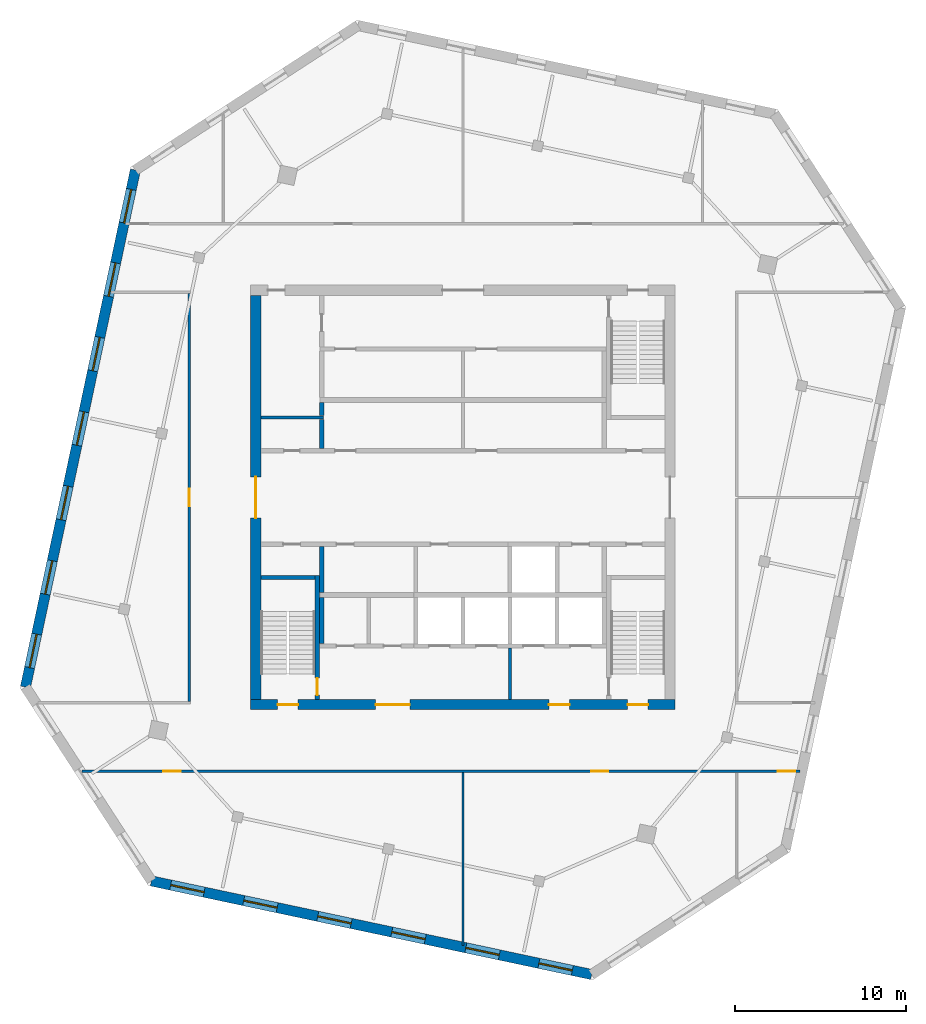
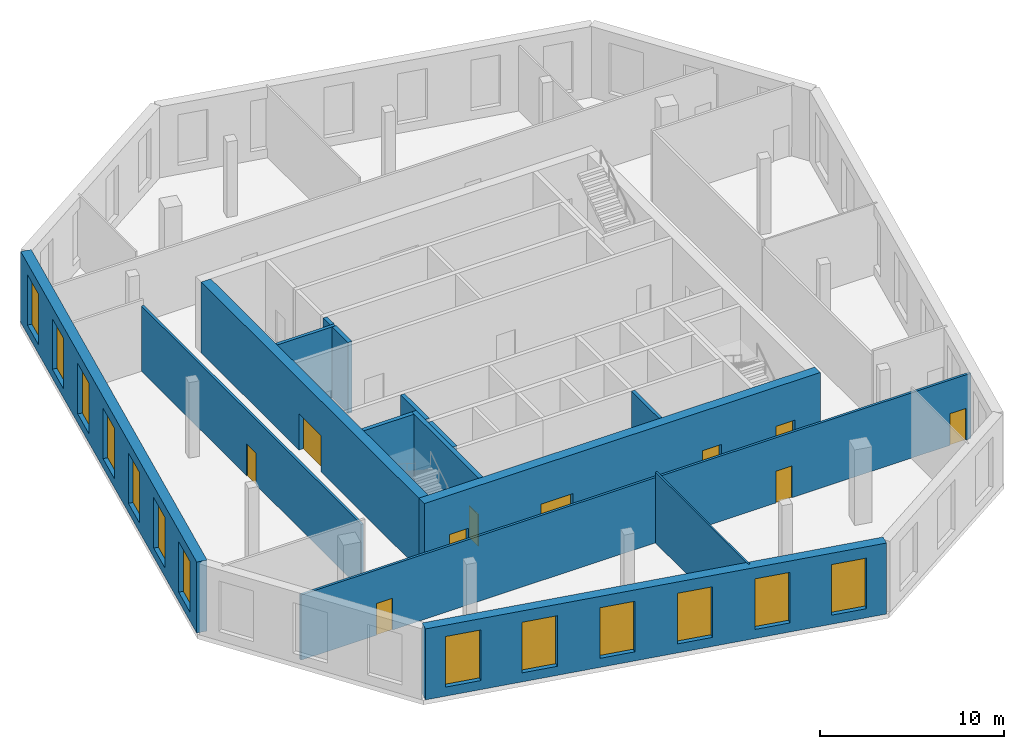
# One storey, part 2 of 6: 15 walls, 13 windows, 10 doors, 23 openings.
"""IFC4 building model written with IfcOpenShell, lengths in metres."""

import ifcopenshell
import ifcopenshell.guid

model = None  # the IFC model being written
_history = None  # IfcOwnerHistory: only IFC2X3 demands one
_inside = {}  # id of a spatial element -> (the spatial element, [elements in it])
_under = {}  # id of a project, library or spatial element -> (it, [spatial elements below it])
_declared = {}  # id of a project -> (the project, [libraries it declares])
_typed = {}  # id of a type object -> (the type object, [elements of that type])
_made_of = {}  # id of a material, layer set ... -> (it, [elements and type objects made of it])


def new_model(schema):
    """Start an empty IFC model of exactly this schema.

    Asked for "IFC4X3", IfcOpenShell would pick the latest addendum, in which some entities
    have other attributes; the version numbers below select the first issue.
    IFC2X3 requires an IfcOwnerHistory on every rooted entity: one is made here for all.
    """
    global model, _history
    if schema == "IFC4X3":
        model = ifcopenshell.file(schema_version=(4, 3, 0, 0))
    else:
        model = ifcopenshell.file(schema=schema)
    _inside.clear()
    _under.clear()
    _declared.clear()
    _typed.clear()
    _made_of.clear()
    _history = None
    if model.schema == "IFC2X3":
        org = make("IfcOrganization", Name="unknown")
        user = make(
            "IfcPersonAndOrganization",
            ThePerson=make("IfcPerson", FamilyName="unknown"),
            TheOrganization=org,
        )
        app = make(
            "IfcApplication",
            ApplicationDeveloper=org,
            Version="unknown",
            ApplicationFullName="unknown",
            ApplicationIdentifier="unknown",
        )
        _history = make(
            "IfcOwnerHistory",
            OwningUser=user,
            OwningApplication=app,
            ChangeAction="ADDED",
            CreationDate=0,
        )
    return model


def make(cls, **values):
    """One entity of the class cls with the attributes given. An attribute that is None is left unset."""
    return model.create_entity(
        cls, **{name: value for name, value in values.items() if value is not None}
    )


def rooted(cls, **values):
    """An entity with a GlobalId (a new one), such as an element, a storey or a relation."""
    return make(cls, GlobalId=ifcopenshell.guid.new(), OwnerHistory=_history, **values)


def si_unit(unit_type, name, prefix=None):
    """IfcSIUnit, for example si_unit("LENGTHUNIT", "METRE", prefix="MILLI")."""
    return make("IfcSIUnit", UnitType=unit_type, Prefix=prefix, Name=name)


def assignment(units):
    """IfcUnitAssignment: the units of a project."""
    return None if units is None else make("IfcUnitAssignment", Units=units)


def point(xyz):
    """IfcCartesianPoint."""
    return None if xyz is None else make("IfcCartesianPoint", Coordinates=xyz)


def direction(xyz):
    """IfcDirection."""
    return None if xyz is None else make("IfcDirection", DirectionRatios=xyz)


def frame(location, z_axis=None, x_axis=None):
    """IfcAxis2Placement3D, a coordinate frame: its origin and axes. An axis left out is left unset."""
    return make(
        "IfcAxis2Placement3D",
        Location=point(location),
        Axis=direction(z_axis),
        RefDirection=direction(x_axis),
    )


def frame_2d(location, x_axis=None):
    """IfcAxis2Placement2D, a coordinate frame in the plane: its origin and x axis."""
    return make(
        "IfcAxis2Placement2D", Location=point(location), RefDirection=direction(x_axis)
    )


def origin():
    """The frame at (0, 0, 0) with its axes left unset."""
    return frame((0.0, 0.0, 0.0))


def place(relative_to, where):
    """IfcLocalPlacement: puts the frame where relative to a parent placement (None: the world)."""
    return make(
        "IfcLocalPlacement", PlacementRelTo=relative_to, RelativePlacement=where
    )


def context(
    kind, dimensions, precision=None, world=None, true_north=None, identifier=None
):
    """IfcGeometricRepresentationContext, for example the 3D "Model" context."""
    return make(
        "IfcGeometricRepresentationContext",
        ContextIdentifier=identifier,
        ContextType=kind,
        CoordinateSpaceDimension=dimensions,
        Precision=precision,
        WorldCoordinateSystem=world,
        TrueNorth=true_north,
    )


def subcontext(parent, identifier, kind, view, scale=None):
    """IfcGeometricRepresentationSubContext, for example "Body" below "Model"."""
    return make(
        "IfcGeometricRepresentationSubContext",
        ContextIdentifier=identifier,
        ContextType=kind,
        ParentContext=parent,
        TargetScale=scale,
        TargetView=view,
    )


def project(units=None, contexts=None):
    """IfcProject with its units and contexts."""
    return rooted(
        "IfcProject",
        Name="project",
        RepresentationContexts=contexts,
        UnitsInContext=assignment(units),
    )


def spatial(cls, under=None, at=None, **own):
    """A site, building, storey or space (cls), placed at a placement, below another one or the project."""
    s = rooted(cls, ObjectPlacement=at, **own)
    if under is not None:
        _under.setdefault(under.id(), (under, []))[1].append(s)
    return s


def profile(cls, at=None, kind="AREA", **sizes):
    """A parametric profile (cls). Its sizes go by their IFC names, for example OverallWidth=200.0."""
    return make(cls, ProfileType=kind, Position=at, **sizes)


def rectangle(**sizes):
    """IfcRectangleProfileDef."""
    return profile("IfcRectangleProfileDef", **sizes)


def extrude(swept, where, along, depth):
    """IfcExtrudedAreaSolid: the profile swept, set in the frame where, extruded along a direction by depth."""
    return make(
        "IfcExtrudedAreaSolid",
        SweptArea=swept,
        Position=where,
        ExtrudedDirection=direction(along),
        Depth=depth,
    )


def shape(context_of_items, identifier, shape_type, items):
    """IfcShapeRepresentation: the items that make up one representation, for example the "Body"."""
    return make(
        "IfcShapeRepresentation",
        ContextOfItems=context_of_items,
        RepresentationIdentifier=identifier,
        RepresentationType=shape_type,
        Items=items,
    )


def material(Name=None, Category=None):
    """IfcMaterial."""
    return make("IfcMaterial", Name=Name, Category=Category)


def layer(
    of_material, thickness, ventilated=None, Name=None, Category=None, Priority=None
):
    """IfcMaterialLayer: one layer of a wall or slab, of a material (None: an air gap)."""
    return make(
        "IfcMaterialLayer",
        Material=of_material,
        LayerThickness=thickness,
        IsVentilated=ventilated,
        Name=Name,
        Category=Category,
        Priority=Priority,
    )


def layer_set(layers, Name=None):
    """IfcMaterialLayerSet."""
    return make("IfcMaterialLayerSet", MaterialLayers=layers, LayerSetName=Name)


def made_of(thing, what):
    """Note that an element or type object is made of a material, layer set ...; save() writes the relation."""
    if what is not None:
        _made_of.setdefault(what.id(), (what, []))[1].append(thing)
    return thing


def type_object(cls, material=None, **own):
    """A type object (cls), such as IfcWallType, which elements share."""
    return made_of(rooted(cls, **own), material)


def element(
    cls,
    number,
    at=None,
    inside=None,
    cuts=None,
    type_object=None,
    material=None,
    context=None,
    identifier="Body",
    shape_type=None,
    held_by="IfcProductDefinitionShape",
    body=None,
    shapes=None,
    **own,
):
    """One element of the class cls, such as IfcWall. Its Tag is "e" and its number.

    at: its placement. inside: the storey or other place that contains it. cuts: it is an
    opening in that element (IfcRelVoidsElement). A single representation is given by context,
    identifier, shape_type and body (its items); several are given by shapes. held_by: the class
    of the entity that holds the representations. save() writes the other relations.
    """
    e = rooted(cls, Tag="e%d" % number, ObjectPlacement=at, **own)
    if body is not None:
        shapes = [shape(context, identifier, shape_type, body)]
    if shapes is not None:
        e.Representation = make(held_by, Representations=shapes)
    if inside is not None:
        _inside.setdefault(inside.id(), (inside, []))[1].append(e)
    if cuts is not None:
        rooted(
            "IfcRelVoidsElement", RelatingBuildingElement=cuts, RelatedOpeningElement=e
        )
    if type_object is not None:
        _typed.setdefault(type_object.id(), (type_object, []))[1].append(e)
    return made_of(e, material)


def fill(opening, filler):
    """IfcRelFillsElement: the door or window that sits in an opening."""
    return rooted(
        "IfcRelFillsElement",
        RelatingOpeningElement=opening,
        RelatedBuildingElement=filler,
    )


def aggregate(whole, parts):
    """IfcRelAggregates: a whole, such as a stair, and the parts it consists of."""
    return rooted("IfcRelAggregates", RelatingObject=whole, RelatedObjects=parts)


def save(model, path):
    """Write the relations noted so far, then the file.

    IfcRelAggregates (storeys below a building ...), IfcRelContainedInSpatialStructure (elements
    in a storey), IfcRelDefinesByType, IfcRelAssociatesMaterial and IfcRelDeclares: one each for
    every whole, place, type object, material and project.
    """
    for whole, parts in _under.values():
        aggregate(whole, parts)
    for where, things in _inside.values():
        rooted(
            "IfcRelContainedInSpatialStructure",
            RelatedElements=things,
            RelatingStructure=where,
        )
    for kind, things in _typed.values():
        rooted("IfcRelDefinesByType", RelatedObjects=things, RelatingType=kind)
    for what, things in _made_of.values():
        rooted("IfcRelAssociatesMaterial", RelatedObjects=things, RelatingMaterial=what)
    for by, libraries in _declared.values():
        rooted("IfcRelDeclares", RelatingContext=by, RelatedDefinitions=libraries)
    model.write(path)


model = new_model("IFC4")

# Units and contexts
model_context = context("Model", 3, precision=1e-05, world=origin(), true_north=direction((0.0, 1.0)))
body_context = subcontext(model_context, "Body", "Model", "MODEL_VIEW")
ifc_project = project(units=[si_unit("LENGTHUNIT", "METRE"), si_unit("AREAUNIT", "SQUARE_METRE"), si_unit("VOLUMEUNIT", "CUBIC_METRE"), si_unit("PLANEANGLEUNIT", "RADIAN"), si_unit("MASSUNIT", "GRAM", prefix="KILO")], contexts=[model_context])

# Site, building, storey
site_placement = place(None, origin())
site = spatial("IfcSite", under=ifc_project, at=site_placement, CompositionType="ELEMENT")
building_placement = place(site_placement, origin())
building = spatial("IfcBuilding", under=site, at=building_placement, Name="Dilmun Exchange Tower", CompositionType="ELEMENT")
storey_placement = place(building_placement, frame((0.0, 0.0, 358.10009765625)))
storey = spatial("IfcBuildingStorey", under=building, at=storey_placement, Name="Crown L84", CompositionType="ELEMENT", Elevation=358.10009765625)

# Walls
ifc_material_1 = material(Name="Concrete C40/50", Category="concrete")
ifc_layer_1 = layer(ifc_material_1, 0.199951171875)
ifc_layer_set_1 = layer_set([ifc_layer_1], Name="Concrete C40/50")
wall_type_1 = type_object("IfcWallType", Name="Core partition wall 200", PredefinedType="PARTITIONING", material=ifc_layer_set_1)
wall_1_placement = place(storey_placement, frame((2.75, -11.794921875, 0.0), z_axis=(0.0, 0.0, 1.0), x_axis=(0.0, 1.0, 0.0)))
element("IfcWall", 1, at=wall_1_placement, inside=storey, type_object=wall_type_1, Name="Crown L84 core partition wall 01", PredefinedType="PARTITIONING", context=body_context, shape_type="SweptSolid", body=[
    extrude(rectangle(XDim=2.989990234375, YDim=0.199951171875, at=frame_2d((1.4951171875, 0.0))), origin(), (0.0, 0.0, 1.0), 4.699951171875),
])
wall_2_placement = place(storey_placement, frame((-11.794921875, 4.675048828125, 0.0), z_axis=(0.0, 0.0, 1.0), x_axis=(1.0, 0.0, 0.0)))
element("IfcWall", 2, at=wall_2_placement, inside=storey, type_object=wall_type_1, Name="Crown L84 core partition wall 15", PredefinedType="PARTITIONING", context=body_context, shape_type="SweptSolid", body=[
    extrude(rectangle(XDim=3.64501953125, YDim=0.199951171875, at=frame_2d((1.822509765625, 0.0))), origin(), (0.0, 0.0, 1.0), 4.699951171875),
])
ifc_layer_2 = layer(ifc_material_1, 0.25)
ifc_layer_set_2 = layer_set([ifc_layer_2], Name="Concrete C40/50")
wall_type_2 = type_object("IfcWallType", Name="Core partition wall 250", PredefinedType="PARTITIONING", material=ifc_layer_set_2)
for number, where, z_axis, x_axis, name in (
    (3, (-8.25, -8.544921875, 0.0), (0.0, 0.0, 1.0), (0.0, 1.0, 0.0), "Crown L84 core partition wall 03"),
    (4, (-8.25, -5.544921875, 0.0), (0.0, 0.0, 1.0), (0.0, 1.0, 0.0), "Crown L84 core partition wall 06"),
):
    element("IfcWall", number, at=place(storey_placement, frame(where, z_axis=z_axis, x_axis=x_axis)), inside=storey, type_object=wall_type_2, Name=name, PredefinedType="PARTITIONING", context=body_context, shape_type="SweptSolid", body=[
        extrude(rectangle(XDim=2.68994140625, YDim=0.25, at=frame_2d((1.344970703125, 0.0))), origin(), (0.0, 0.0, 1.0), 4.699951171875),
    ])
wall_3_placement = place(storey_placement, frame((-8.25, 2.85498046875, 0.0), z_axis=(0.0, 0.0, 1.0), x_axis=(0.0, 1.0, 0.0)))
element("IfcWall", 5, at=wall_3_placement, inside=storey, type_object=wall_type_2, Name="Crown L84 core partition wall 12", PredefinedType="PARTITIONING", context=body_context, shape_type="SweptSolid", body=[
    extrude(rectangle(XDim=1.715087890625, YDim=0.25, at=frame_2d((0.857421875, 0.0))), origin(), (0.0, 0.0, 1.0), 4.699951171875),
])
wall_4_placement = place(storey_placement, frame((-8.25, 4.780029296875, 0.0), z_axis=(0.0, 0.0, 1.0), x_axis=(0.0, 1.0, 0.0)))
element("IfcWall", 6, at=wall_4_placement, inside=storey, type_object=wall_type_2, Name="Crown L84 core partition wall 16", PredefinedType="PARTITIONING", context=body_context, shape_type="SweptSolid", body=[
    extrude(rectangle(XDim=0.764892578125, YDim=0.25, at=frame_2d((0.38232421875, 0.0))), origin(), (0.0, 0.0, 1.0), 4.699951171875),
])

# Wall, openings, doors
ifc_material_2 = material(Name="Concrete C50/60", Category="concrete")
ifc_layer_3 = layer(ifc_material_2, 0.60009765625)
ifc_layer_set_3 = layer_set([ifc_layer_3], Name="Concrete C50/60")
wall_type_3 = type_object("IfcWallType", Name="Core shear wall 600 Concrete C50/60", PredefinedType="SHEAR", material=ifc_layer_set_3)
wall_5_placement = place(storey_placement, frame((-12.39990234375, -12.10009765625, 0.0), z_axis=(0.0, 0.0, 1.0), x_axis=(1.0, 0.0, 0.0)))
wall_5 = element("IfcWall", 7, at=wall_5_placement, inside=storey, type_object=wall_type_3, Name="Crown L84 core shear wall S", PredefinedType="SHEAR", context=body_context, shape_type="SweptSolid", body=[
    extrude(rectangle(XDim=24.7998046875, YDim=0.60009765625, at=frame_2d((12.39990234375, 0.0))), origin(), (0.0, 0.0, 1.0), 4.699951171875),
])
opening_1_placement = place(wall_5_placement, frame((7.300048828125, 0.0, 0.0)))
opening_1 = element("IfcOpeningElement", 8, at=opening_1_placement, cuts=wall_5, Name="Opening CD2", PredefinedType="OPENING", context=body_context, shape_type="SweptSolid", body=[
    extrude(rectangle(XDim=2.0, YDim=2.10009765625, at=frame_2d((1.0, 1.050048828125))), frame((0.0, 0.31005859375, 0.0), z_axis=(0.0, -1.0, 0.0), x_axis=(1.0, 0.0, 0.0)), (0.0, 0.0, 1.0), 0.6201171875),
])
opening_2_placement = place(wall_5_placement, frame((17.425048828125, 0.0, 0.0)))
opening_2 = element("IfcOpeningElement", 9, at=opening_2_placement, cuts=wall_5, Name="Opening CD3", PredefinedType="OPENING", context=body_context, shape_type="SweptSolid", body=[
    extrude(rectangle(XDim=1.199951171875, YDim=2.10009765625, at=frame_2d((0.60009765625, 1.050048828125))), frame((0.0, 0.31005859375, 0.0), z_axis=(0.0, -1.0, 0.0), x_axis=(1.0, 0.0, 0.0)), (0.0, 0.0, 1.0), 0.6201171875),
])
opening_3_placement = place(wall_5_placement, frame((1.574951171875, 0.0, 0.0)))
opening_3 = element("IfcOpeningElement", 10, at=opening_3_placement, cuts=wall_5, Name="Opening CD3", PredefinedType="OPENING", context=body_context, shape_type="SweptSolid", body=[
    extrude(rectangle(XDim=1.199951171875, YDim=2.10009765625, at=frame_2d((0.60009765625, 1.050048828125))), frame((0.0, 0.31005859375, 0.0), z_axis=(0.0, -1.0, 0.0), x_axis=(1.0, 0.0, 0.0)), (0.0, 0.0, 1.0), 0.6201171875),
])
opening_4_placement = place(wall_5_placement, frame((22.02490234375, 0.0, 0.0)))
opening_4 = element("IfcOpeningElement", 11, at=opening_4_placement, cuts=wall_5, Name="Opening CD3", PredefinedType="OPENING", context=body_context, shape_type="SweptSolid", body=[
    extrude(rectangle(XDim=1.199951171875, YDim=2.10009765625, at=frame_2d((0.60009765625, 1.050048828125))), frame((0.0, 0.31005859375, 0.0), z_axis=(0.0, -1.0, 0.0), x_axis=(1.0, 0.0, 0.0)), (0.0, 0.0, 1.0), 0.6201171875),
])
ifc_material_3 = material(Name="Fire-rated steel door set", Category="steel")
door_type_1 = type_object("IfcDoorType", Name="Core service door 2000x2100", OperationType="DOUBLE_DOOR_DOUBLE_SWING", PredefinedType="DOOR", material=ifc_material_3)
door_1_placement = place(opening_1_placement, origin())
door_1 = element("IfcDoor", 12, at=door_1_placement, inside=storey, type_object=door_type_1, Name="Crown L84 door South service lobby", OperationType="SINGLE_SWING_LEFT", OverallHeight=2.10009765625, OverallWidth=2.0, PredefinedType="DOOR", context=body_context, shape_type="SweptSolid", body=[
    extrude(rectangle(XDim=2.0, YDim=2.10009765625, at=frame_2d((1.0, 1.050048828125))), frame((0.0, 0.02490234375, 0.0), z_axis=(0.0, -1.0, 0.0), x_axis=(1.0, 0.0, 0.0)), (0.0, 0.0, 1.0), 0.050048828125),
])
fill(opening_1, door_1)
door_type_2 = type_object("IfcDoorType", Name="Stair exit door 1200x2100", OperationType="SINGLE_SWING_LEFT", PredefinedType="DOOR", material=ifc_material_3)
door_2_placement = place(opening_2_placement, origin())
door_2 = element("IfcDoor", 13, at=door_2_placement, inside=storey, type_object=door_type_2, Name="Crown L84 door Fire-fighting lobby", OperationType="SINGLE_SWING_LEFT", OverallHeight=2.10009765625, OverallWidth=1.199951171875, PredefinedType="DOOR", context=body_context, shape_type="SweptSolid", body=[
    extrude(rectangle(XDim=1.199951171875, YDim=2.10009765625, at=frame_2d((0.60009765625, 1.050048828125))), frame((0.0, 0.02490234375, 0.0), z_axis=(0.0, -1.0, 0.0), x_axis=(1.0, 0.0, 0.0)), (0.0, 0.0, 1.0), 0.050048828125),
])
fill(opening_2, door_2)
door_3_placement = place(opening_3_placement, origin())
door_3 = element("IfcDoor", 14, at=door_3_placement, inside=storey, type_object=door_type_2, Name="Crown L84 door Stair ST2", OperationType="SINGLE_SWING_LEFT", OverallHeight=2.10009765625, OverallWidth=1.199951171875, PredefinedType="DOOR", context=body_context, shape_type="SweptSolid", body=[
    extrude(rectangle(XDim=1.199951171875, YDim=2.10009765625, at=frame_2d((0.60009765625, 1.050048828125))), frame((0.0, 0.02490234375, 0.0), z_axis=(0.0, -1.0, 0.0), x_axis=(1.0, 0.0, 0.0)), (0.0, 0.0, 1.0), 0.050048828125),
])
fill(opening_3, door_3)
door_4_placement = place(opening_4_placement, origin())
door_4 = element("IfcDoor", 15, at=door_4_placement, inside=storey, type_object=door_type_2, Name="Crown L84 door Stair ST3", OperationType="SINGLE_SWING_LEFT", OverallHeight=2.10009765625, OverallWidth=1.199951171875, PredefinedType="DOOR", context=body_context, shape_type="SweptSolid", body=[
    extrude(rectangle(XDim=1.199951171875, YDim=2.10009765625, at=frame_2d((0.60009765625, 1.050048828125))), frame((0.0, 0.02490234375, 0.0), z_axis=(0.0, -1.0, 0.0), x_axis=(1.0, 0.0, 0.0)), (0.0, 0.0, 1.0), 0.050048828125),
])
fill(opening_4, door_4)

# Wall, opening, door
wall_6_placement = place(storey_placement, frame((-12.10009765625, -11.800048828125, 0.0), z_axis=(0.0, 0.0, 1.0), x_axis=(0.0, 1.0, 0.0)))
wall_6 = element("IfcWall", 16, at=wall_6_placement, inside=storey, type_object=wall_type_3, Name="Crown L84 core shear wall W", PredefinedType="SHEAR", context=body_context, shape_type="SweptSolid", body=[
    extrude(rectangle(XDim=23.60009765625, YDim=0.60009765625, at=frame_2d((11.800048828125, 0.0))), origin(), (0.0, 0.0, 1.0), 4.699951171875),
])
opening_5_placement = place(wall_6_placement, frame((10.60009765625, 0.0, 0.0)))
opening_5 = element("IfcOpeningElement", 17, at=opening_5_placement, cuts=wall_6, Name="Opening CD1", PredefinedType="OPENING", context=body_context, shape_type="SweptSolid", body=[
    extrude(rectangle(XDim=2.39990234375, YDim=2.39990234375, at=frame_2d((1.199951171875, 1.199951171875))), frame((0.0, 0.31005859375, 0.0), z_axis=(0.0, -1.0, 0.0), x_axis=(1.0, 0.0, 0.0)), (0.0, 0.0, 1.0), 0.6201171875),
])
door_type_3 = type_object("IfcDoorType", Name="Core lobby door 2400x2400", OperationType="DOUBLE_DOOR_DOUBLE_SWING", PredefinedType="DOOR", material=ifc_material_3)
door_5_placement = place(opening_5_placement, origin())
door_5 = element("IfcDoor", 18, at=door_5_placement, inside=storey, type_object=door_type_3, Name="Crown L84 door Central lift lobby", OperationType="SINGLE_SWING_LEFT", OverallHeight=2.39990234375, OverallWidth=2.39990234375, PredefinedType="DOOR", context=body_context, shape_type="SweptSolid", body=[
    extrude(rectangle(XDim=2.39990234375, YDim=2.39990234375, at=frame_2d((1.199951171875, 1.199951171875))), frame((0.0, 0.02490234375, 0.0), z_axis=(0.0, -1.0, 0.0), x_axis=(1.0, 0.0, 0.0)), (0.0, 0.0, 1.0), 0.050048828125),
])
fill(opening_5, door_5)

# Wall, openings, doors
ifc_material_4 = material(Name="Fire partition EI 60 150 gypsum")
ifc_layer_4 = layer(ifc_material_4, 0.14990234375)
ifc_layer_set_4 = layer_set([ifc_layer_4], Name="Fire partition EI 60 150 gypsum")
wall_type_4 = type_object("IfcWallType", Name="Fire partition EI 60 150 gypsum", PredefinedType="PARTITIONING", material=ifc_layer_set_4)
wall_7_placement = place(storey_placement, frame((-22.243896484375, -16.0, 0.0), z_axis=(0.0, 0.0, 1.0), x_axis=(1.0, 0.0, 0.0)))
wall_7 = element("IfcWall", 19, at=wall_7_placement, inside=storey, type_object=wall_type_4, Name="Crown L84 partition", PredefinedType="PARTITIONING", context=body_context, shape_type="SweptSolid", body=[
    extrude(rectangle(XDim=41.947998046875, YDim=0.14990234375, at=frame_2d((20.97412109375, 0.0))), origin(), (0.0, 0.0, 1.0), 4.31982421875),
])
opening_6_placement = place(wall_7_placement, frame((4.743896484375, 0.0, 0.0)))
opening_6 = element("IfcOpeningElement", 20, at=opening_6_placement, cuts=wall_7, Name="Opening CrownL84-D005", PredefinedType="OPENING", context=body_context, shape_type="SweptSolid", body=[
    extrude(rectangle(XDim=1.0, YDim=2.10009765625, at=frame_2d((0.5, 1.050048828125))), frame((0.0, 0.0849609375, 0.0), z_axis=(0.0, -1.0, 0.0), x_axis=(1.0, 0.0, 0.0)), (0.0, 0.0, 1.0), 0.169921875),
])
opening_7_placement = place(wall_7_placement, frame((29.743896484375, 0.0, 0.0)))
opening_7 = element("IfcOpeningElement", 21, at=opening_7_placement, cuts=wall_7, Name="Opening CrownL84-D006", PredefinedType="OPENING", context=body_context, shape_type="SweptSolid", body=[
    extrude(rectangle(XDim=1.0, YDim=2.10009765625, at=frame_2d((0.5, 1.050048828125))), frame((0.0, 0.0849609375, 0.0), z_axis=(0.0, -1.0, 0.0), x_axis=(1.0, 0.0, 0.0)), (0.0, 0.0, 1.0), 0.169921875),
])
opening_8_placement = place(wall_7_placement, frame((40.643798828125, 0.0, 0.0)))
opening_8 = element("IfcOpeningElement", 22, at=opening_8_placement, cuts=wall_7, Name="Opening CrownL84-D007", PredefinedType="OPENING", context=body_context, shape_type="SweptSolid", body=[
    extrude(rectangle(XDim=1.0, YDim=2.10009765625, at=frame_2d((0.5, 1.050048828125))), frame((0.0, 0.0849609375, 0.0), z_axis=(0.0, -1.0, 0.0), x_axis=(1.0, 0.0, 0.0)), (0.0, 0.0, 1.0), 0.169921875),
])
ifc_material_5 = material(Name="Fire door FD60 1000 x 2100")
door_type_4 = type_object("IfcDoorType", Name="Fire door FD60 1000 x 2100", OperationType="SINGLE_SWING_LEFT", PredefinedType="DOOR", material=ifc_material_5)
door_6_placement = place(opening_6_placement, origin())
door_6 = element("IfcDoor", 23, at=door_6_placement, inside=storey, type_object=door_type_4, Name="Crown L84 door CrownL84-D005", OperationType="SINGLE_SWING_LEFT", OverallHeight=2.10009765625, OverallWidth=1.0, PredefinedType="DOOR", context=body_context, shape_type="SweptSolid", body=[
    extrude(rectangle(XDim=1.0, YDim=2.10009765625, at=frame_2d((0.5, 1.050048828125))), frame((0.0, 0.02490234375, 0.0), z_axis=(0.0, -1.0, 0.0), x_axis=(1.0, 0.0, 0.0)), (0.0, 0.0, 1.0), 0.050048828125),
])
fill(opening_6, door_6)
door_7_placement = place(opening_7_placement, origin())
door_7 = element("IfcDoor", 24, at=door_7_placement, inside=storey, type_object=door_type_4, Name="Crown L84 door CrownL84-D006", OperationType="SINGLE_SWING_RIGHT", OverallHeight=2.10009765625, OverallWidth=1.0, PredefinedType="DOOR", context=body_context, shape_type="SweptSolid", body=[
    extrude(rectangle(XDim=1.0, YDim=2.10009765625, at=frame_2d((0.5, 1.050048828125))), frame((0.0, 0.02490234375, 0.0), z_axis=(0.0, -1.0, 0.0), x_axis=(1.0, 0.0, 0.0)), (0.0, 0.0, 1.0), 0.050048828125),
])
fill(opening_7, door_7)
door_8_placement = place(opening_8_placement, origin())
door_8 = element("IfcDoor", 25, at=door_8_placement, inside=storey, type_object=door_type_4, Name="Crown L84 door CrownL84-D007", OperationType="SINGLE_SWING_LEFT", OverallHeight=2.10009765625, OverallWidth=1.0, PredefinedType="DOOR", context=body_context, shape_type="SweptSolid", body=[
    extrude(rectangle(XDim=1.0, YDim=2.10009765625, at=frame_2d((0.5, 1.050048828125))), frame((0.0, 0.02490234375, 0.0), z_axis=(0.0, -1.0, 0.0), x_axis=(1.0, 0.0, 0.0)), (0.0, 0.0, 1.0), 0.050048828125),
])
fill(opening_8, door_8)

# Wall, opening, door
wall_8_placement = place(storey_placement, frame((-16.0, -11.925048828125, 0.0), z_axis=(0.0, 0.0, 1.0), x_axis=(0.0, 1.0, 0.0)))
wall_8 = element("IfcWall", 26, at=wall_8_placement, inside=storey, type_object=wall_type_4, Name="Crown L84 partition", PredefinedType="PARTITIONING", context=body_context, shape_type="SweptSolid", body=[
    extrude(rectangle(XDim=23.85009765625, YDim=0.14990234375, at=frame_2d((11.925048828125, 0.0))), origin(), (0.0, 0.0, 1.0), 4.31982421875),
])
opening_9_placement = place(wall_8_placement, frame((11.425048828125, 0.0, 0.0)))
opening_9 = element("IfcOpeningElement", 27, at=opening_9_placement, cuts=wall_8, Name="Opening CrownL84-D008", PredefinedType="OPENING", context=body_context, shape_type="SweptSolid", body=[
    extrude(rectangle(XDim=1.0, YDim=2.10009765625, at=frame_2d((0.5, 1.050048828125))), frame((0.0, 0.0849609375, 0.0), z_axis=(0.0, -1.0, 0.0), x_axis=(1.0, 0.0, 0.0)), (0.0, 0.0, 1.0), 0.169921875),
])
door_9_placement = place(opening_9_placement, origin())
door_9 = element("IfcDoor", 28, at=door_9_placement, inside=storey, type_object=door_type_4, Name="Crown L84 door CrownL84-D008", OperationType="SINGLE_SWING_RIGHT", OverallHeight=2.10009765625, OverallWidth=1.0, PredefinedType="DOOR", context=body_context, shape_type="SweptSolid", body=[
    extrude(rectangle(XDim=1.0, YDim=2.10009765625, at=frame_2d((0.5, 1.050048828125))), frame((0.0, 0.02490234375, 0.0), z_axis=(0.0, -1.0, 0.0), x_axis=(1.0, 0.0, 0.0)), (0.0, 0.0, 1.0), 0.050048828125),
])
fill(opening_9, door_9)

# Wall
ifc_material_6 = material(Name="Partition 100 gypsum")
ifc_layer_5 = layer(ifc_material_6, 0.10009765625)
ifc_layer_set_5 = layer_set([ifc_layer_5], Name="Partition 100 gypsum")
wall_type_5 = type_object("IfcWallType", Name="Partition 100 gypsum", PredefinedType="PARTITIONING", material=ifc_layer_set_5)
wall_9_placement = place(storey_placement, frame((0.0, -26.171875, 0.0), z_axis=(0.0, 0.0, 1.0), x_axis=(0.0, 1.0, 0.0)))
element("IfcWall", 29, at=wall_9_placement, inside=storey, type_object=wall_type_5, Name="Crown L84 partition", PredefinedType="PARTITIONING", context=body_context, shape_type="SweptSolid", body=[
    extrude(rectangle(XDim=10.096923828125, YDim=0.10009765625, at=frame_2d((5.04833984375, 0.0))), origin(), (0.0, 0.0, 1.0), 4.699951171875),
])

# Wall, openings, windows
ifc_material_7 = material(Name="Precast concrete C50/60", Category="concrete")
ifc_layer_6 = layer(ifc_material_7, 0.60009765625)
ifc_layer_set_6 = layer_set([ifc_layer_6], Name="Precast concrete C50/60")
wall_type_6 = type_object("IfcWallType", Name="Precast stone-clad wall 600", PredefinedType="STANDARD", material=ifc_layer_set_6)
wall_10_placement = place(storey_placement, frame((-18.203857421875, -22.40478515625, 0.0), z_axis=(0.0, 0.0, 1.0), x_axis=(0.978146602716, -0.207916386066, 0.0)))
wall_10 = element("IfcWall", 30, at=wall_10_placement, inside=storey, type_object=wall_type_6, Name="Facade wall Crown L84-00", PredefinedType="STANDARD", context=body_context, shape_type="SweptSolid", body=[
    extrude(rectangle(XDim=26.295654296875, YDim=0.60009765625, at=frame_2d((13.14794921875, 0.0))), origin(), (0.0, 0.0, 1.0), 4.699951171875),
])
opening_10_placement = place(wall_10_placement, frame((1.14990234375, 0.0, 0.60009765625)))
opening_10 = element("IfcOpeningElement", 31, at=opening_10_placement, cuts=wall_10, Name="Opening LV200-335", PredefinedType="OPENING", context=body_context, shape_type="SweptSolid", body=[
    extrude(rectangle(XDim=2.0, YDim=3.35009765625, at=frame_2d((1.0, 1.675048828125))), frame((0.0, 0.31005859375, 0.0), z_axis=(0.0, -1.0, 0.0), x_axis=(1.0, 0.0, 0.0)), (0.0, 0.0, 1.0), 0.6201171875),
])
opening_11_placement = place(wall_10_placement, frame((5.51171875, 0.0, 0.60009765625)))
opening_11 = element("IfcOpeningElement", 32, at=opening_11_placement, cuts=wall_10, Name="Opening LV200-335", PredefinedType="OPENING", context=body_context, shape_type="SweptSolid", body=[
    extrude(rectangle(XDim=2.0, YDim=3.35009765625, at=frame_2d((1.0, 1.675048828125))), frame((0.0, 0.31005859375, 0.0), z_axis=(0.0, -1.0, 0.0), x_axis=(1.0, 0.0, 0.0)), (0.0, 0.0, 1.0), 0.6201171875),
])
opening_12_placement = place(wall_10_placement, frame((9.935791015625, 0.0, 0.60009765625)))
opening_12 = element("IfcOpeningElement", 33, at=opening_12_placement, cuts=wall_10, Name="Opening LV200-335", PredefinedType="OPENING", context=body_context, shape_type="SweptSolid", body=[
    extrude(rectangle(XDim=2.0, YDim=3.35009765625, at=frame_2d((1.0, 1.675048828125))), frame((0.0, 0.31005859375, 0.0), z_axis=(0.0, -1.0, 0.0), x_axis=(1.0, 0.0, 0.0)), (0.0, 0.0, 1.0), 0.6201171875),
])
opening_13_placement = place(wall_10_placement, frame((14.35986328125, 0.0, 0.60009765625)))
opening_13 = element("IfcOpeningElement", 34, at=opening_13_placement, cuts=wall_10, Name="Opening LV200-335", PredefinedType="OPENING", context=body_context, shape_type="SweptSolid", body=[
    extrude(rectangle(XDim=2.0, YDim=3.35009765625, at=frame_2d((1.0, 1.675048828125))), frame((0.0, 0.31005859375, 0.0), z_axis=(0.0, -1.0, 0.0), x_axis=(1.0, 0.0, 0.0)), (0.0, 0.0, 1.0), 0.6201171875),
])
opening_14_placement = place(wall_10_placement, frame((18.783935546875, 0.0, 0.60009765625)))
opening_14 = element("IfcOpeningElement", 35, at=opening_14_placement, cuts=wall_10, Name="Opening LV200-335", PredefinedType="OPENING", context=body_context, shape_type="SweptSolid", body=[
    extrude(rectangle(XDim=2.0, YDim=3.35009765625, at=frame_2d((1.0, 1.675048828125))), frame((0.0, 0.31005859375, 0.0), z_axis=(0.0, -1.0, 0.0), x_axis=(1.0, 0.0, 0.0)), (0.0, 0.0, 1.0), 0.6201171875),
])
opening_15_placement = place(wall_10_placement, frame((23.145751953125, 0.0, 0.60009765625)))
opening_15 = element("IfcOpeningElement", 36, at=opening_15_placement, cuts=wall_10, Name="Opening LV200-335", PredefinedType="OPENING", context=body_context, shape_type="SweptSolid", body=[
    extrude(rectangle(XDim=2.0, YDim=3.35009765625, at=frame_2d((1.0, 1.675048828125))), frame((0.0, 0.31005859375, 0.0), z_axis=(0.0, -1.0, 0.0), x_axis=(1.0, 0.0, 0.0)), (0.0, 0.0, 1.0), 0.6201171875),
])
ifc_material_8 = material(Name="Anodised aluminium louvre blades with sand trap", Category="aluminium")
window_type = type_object("IfcWindowType", Name="Plant louvre 2000 x 3350", PartitioningType="SINGLE_PANEL", PredefinedType="USERDEFINED", material=ifc_material_8)
window_1_placement = place(opening_10_placement, origin())
window_1 = element("IfcWindow", 37, at=window_1_placement, inside=storey, type_object=window_type, Name="Plant louvre 1.1", ObjectType="LOUVRE", OverallHeight=3.35009765625, OverallWidth=2.0, PartitioningType="SINGLE_PANEL", PredefinedType="USERDEFINED", context=body_context, shape_type="SweptSolid", body=[
    extrude(rectangle(XDim=2.0, YDim=3.35009765625, at=frame_2d((1.0, 1.675048828125))), frame((0.0, 0.030029296875, 0.0), z_axis=(0.0, -1.0, 0.0), x_axis=(1.0, 0.0, 0.0)), (0.0, 0.0, 1.0), 0.06005859375),
])
fill(opening_10, window_1)
window_2_placement = place(opening_11_placement, origin())
window_2 = element("IfcWindow", 38, at=window_2_placement, inside=storey, type_object=window_type, Name="Plant louvre 1.2", ObjectType="LOUVRE", OverallHeight=3.35009765625, OverallWidth=2.0, PartitioningType="SINGLE_PANEL", PredefinedType="USERDEFINED", context=body_context, shape_type="SweptSolid", body=[
    extrude(rectangle(XDim=2.0, YDim=3.35009765625, at=frame_2d((1.0, 1.675048828125))), frame((0.0, 0.030029296875, 0.0), z_axis=(0.0, -1.0, 0.0), x_axis=(1.0, 0.0, 0.0)), (0.0, 0.0, 1.0), 0.06005859375),
])
fill(opening_11, window_2)
window_3_placement = place(opening_12_placement, origin())
window_3 = element("IfcWindow", 39, at=window_3_placement, inside=storey, type_object=window_type, Name="Plant louvre 1.3", ObjectType="LOUVRE", OverallHeight=3.35009765625, OverallWidth=2.0, PartitioningType="SINGLE_PANEL", PredefinedType="USERDEFINED", context=body_context, shape_type="SweptSolid", body=[
    extrude(rectangle(XDim=2.0, YDim=3.35009765625, at=frame_2d((1.0, 1.675048828125))), frame((0.0, 0.030029296875, 0.0), z_axis=(0.0, -1.0, 0.0), x_axis=(1.0, 0.0, 0.0)), (0.0, 0.0, 1.0), 0.06005859375),
])
fill(opening_12, window_3)
window_4_placement = place(opening_13_placement, origin())
window_4 = element("IfcWindow", 40, at=window_4_placement, inside=storey, type_object=window_type, Name="Plant louvre 1.4", ObjectType="LOUVRE", OverallHeight=3.35009765625, OverallWidth=2.0, PartitioningType="SINGLE_PANEL", PredefinedType="USERDEFINED", context=body_context, shape_type="SweptSolid", body=[
    extrude(rectangle(XDim=2.0, YDim=3.35009765625, at=frame_2d((1.0, 1.675048828125))), frame((0.0, 0.030029296875, 0.0), z_axis=(0.0, -1.0, 0.0), x_axis=(1.0, 0.0, 0.0)), (0.0, 0.0, 1.0), 0.06005859375),
])
fill(opening_13, window_4)
window_5_placement = place(opening_14_placement, origin())
window_5 = element("IfcWindow", 41, at=window_5_placement, inside=storey, type_object=window_type, Name="Plant louvre 1.5", ObjectType="LOUVRE", OverallHeight=3.35009765625, OverallWidth=2.0, PartitioningType="SINGLE_PANEL", PredefinedType="USERDEFINED", context=body_context, shape_type="SweptSolid", body=[
    extrude(rectangle(XDim=2.0, YDim=3.35009765625, at=frame_2d((1.0, 1.675048828125))), frame((0.0, 0.030029296875, 0.0), z_axis=(0.0, -1.0, 0.0), x_axis=(1.0, 0.0, 0.0)), (0.0, 0.0, 1.0), 0.06005859375),
])
fill(opening_14, window_5)
window_6_placement = place(opening_15_placement, origin())
window_6 = element("IfcWindow", 42, at=window_6_placement, inside=storey, type_object=window_type, Name="Plant louvre 1.6", ObjectType="LOUVRE", OverallHeight=3.35009765625, OverallWidth=2.0, PartitioningType="SINGLE_PANEL", PredefinedType="USERDEFINED", context=body_context, shape_type="SweptSolid", body=[
    extrude(rectangle(XDim=2.0, YDim=3.35009765625, at=frame_2d((1.0, 1.675048828125))), frame((0.0, 0.030029296875, 0.0), z_axis=(0.0, -1.0, 0.0), x_axis=(1.0, 0.0, 0.0)), (0.0, 0.0, 1.0), 0.06005859375),
])
fill(opening_15, window_6)

wall_11_placement = place(storey_placement, frame((-19.140625, 19.131103515625, 0.0), z_axis=(0.0, 0.0, 1.0), x_axis=(-0.207913406719, -0.978147236006, 0.0)))
wall_11 = element("IfcWall", 43, at=wall_11_placement, inside=storey, type_object=wall_type_6, Name="Facade wall Crown L84-06", PredefinedType="STANDARD", context=body_context, shape_type="SweptSolid", body=[
    extrude(rectangle(XDim=30.88134765625, YDim=0.60009765625, at=frame_2d((15.440673828125, 0.0))), origin(), (0.0, 0.0, 1.0), 4.699951171875),
])
opening_16_placement = place(wall_11_placement, frame((1.161376953125, 0.0, 0.60009765625)))
opening_16 = element("IfcOpeningElement", 44, at=opening_16_placement, cuts=wall_11, Name="Opening LV200-335", PredefinedType="OPENING", context=body_context, shape_type="SweptSolid", body=[
    extrude(rectangle(XDim=2.0, YDim=3.35009765625, at=frame_2d((1.0, 1.675048828125))), frame((0.0, 0.31005859375, 0.0), z_axis=(0.0, -1.0, 0.0), x_axis=(1.0, 0.0, 0.0)), (0.0, 0.0, 1.0), 0.6201171875),
])
opening_17_placement = place(wall_11_placement, frame((5.54638671875, 0.0, 0.60009765625)))
opening_17 = element("IfcOpeningElement", 45, at=opening_17_placement, cuts=wall_11, Name="Opening LV200-335", PredefinedType="OPENING", context=body_context, shape_type="SweptSolid", body=[
    extrude(rectangle(XDim=2.0, YDim=3.35009765625, at=frame_2d((1.0, 1.675048828125))), frame((0.0, 0.31005859375, 0.0), z_axis=(0.0, -1.0, 0.0), x_axis=(1.0, 0.0, 0.0)), (0.0, 0.0, 1.0), 0.6201171875),
])
opening_18_placement = place(wall_11_placement, frame((9.99365234375, 0.0, 0.60009765625)))
opening_18 = element("IfcOpeningElement", 46, at=opening_18_placement, cuts=wall_11, Name="Opening LV200-335", PredefinedType="OPENING", context=body_context, shape_type="SweptSolid", body=[
    extrude(rectangle(XDim=2.0, YDim=3.35009765625, at=frame_2d((1.0, 1.675048828125))), frame((0.0, 0.31005859375, 0.0), z_axis=(0.0, -1.0, 0.0), x_axis=(1.0, 0.0, 0.0)), (0.0, 0.0, 1.0), 0.6201171875),
])
opening_19_placement = place(wall_11_placement, frame((14.440673828125, 0.0, 0.60009765625)))
opening_19 = element("IfcOpeningElement", 47, at=opening_19_placement, cuts=wall_11, Name="Opening LV200-335", PredefinedType="OPENING", context=body_context, shape_type="SweptSolid", body=[
    extrude(rectangle(XDim=2.0, YDim=3.35009765625, at=frame_2d((1.0, 1.675048828125))), frame((0.0, 0.31005859375, 0.0), z_axis=(0.0, -1.0, 0.0), x_axis=(1.0, 0.0, 0.0)), (0.0, 0.0, 1.0), 0.6201171875),
])
opening_20_placement = place(wall_11_placement, frame((18.8876953125, 0.0, 0.60009765625)))
opening_20 = element("IfcOpeningElement", 48, at=opening_20_placement, cuts=wall_11, Name="Opening LV200-335", PredefinedType="OPENING", context=body_context, shape_type="SweptSolid", body=[
    extrude(rectangle(XDim=2.0, YDim=3.35009765625, at=frame_2d((1.0, 1.675048828125))), frame((0.0, 0.31005859375, 0.0), z_axis=(0.0, -1.0, 0.0), x_axis=(1.0, 0.0, 0.0)), (0.0, 0.0, 1.0), 0.6201171875),
])
opening_21_placement = place(wall_11_placement, frame((23.3349609375, 0.0, 0.60009765625)))
opening_21 = element("IfcOpeningElement", 49, at=opening_21_placement, cuts=wall_11, Name="Opening LV200-335", PredefinedType="OPENING", context=body_context, shape_type="SweptSolid", body=[
    extrude(rectangle(XDim=2.0, YDim=3.35009765625, at=frame_2d((1.0, 1.675048828125))), frame((0.0, 0.31005859375, 0.0), z_axis=(0.0, -1.0, 0.0), x_axis=(1.0, 0.0, 0.0)), (0.0, 0.0, 1.0), 0.6201171875),
])
opening_22_placement = place(wall_11_placement, frame((27.719970703125, 0.0, 0.60009765625)))
opening_22 = element("IfcOpeningElement", 50, at=opening_22_placement, cuts=wall_11, Name="Opening LV200-335", PredefinedType="OPENING", context=body_context, shape_type="SweptSolid", body=[
    extrude(rectangle(XDim=2.0, YDim=3.35009765625, at=frame_2d((1.0, 1.675048828125))), frame((0.0, 0.31005859375, 0.0), z_axis=(0.0, -1.0, 0.0), x_axis=(1.0, 0.0, 0.0)), (0.0, 0.0, 1.0), 0.6201171875),
])
window_7_placement = place(opening_16_placement, origin())
window_7 = element("IfcWindow", 51, at=window_7_placement, inside=storey, type_object=window_type, Name="Plant louvre 7.1", ObjectType="LOUVRE", OverallHeight=3.35009765625, OverallWidth=2.0, PartitioningType="SINGLE_PANEL", PredefinedType="USERDEFINED", context=body_context, shape_type="SweptSolid", body=[
    extrude(rectangle(XDim=2.0, YDim=3.35009765625, at=frame_2d((1.0, 1.675048828125))), frame((0.0, 0.030029296875, 0.0), z_axis=(0.0, -1.0, 0.0), x_axis=(1.0, 0.0, 0.0)), (0.0, 0.0, 1.0), 0.06005859375),
])
fill(opening_16, window_7)
window_8_placement = place(opening_17_placement, origin())
window_8 = element("IfcWindow", 52, at=window_8_placement, inside=storey, type_object=window_type, Name="Plant louvre 7.2", ObjectType="LOUVRE", OverallHeight=3.35009765625, OverallWidth=2.0, PartitioningType="SINGLE_PANEL", PredefinedType="USERDEFINED", context=body_context, shape_type="SweptSolid", body=[
    extrude(rectangle(XDim=2.0, YDim=3.35009765625, at=frame_2d((1.0, 1.675048828125))), frame((0.0, 0.030029296875, 0.0), z_axis=(0.0, -1.0, 0.0), x_axis=(1.0, 0.0, 0.0)), (0.0, 0.0, 1.0), 0.06005859375),
])
fill(opening_17, window_8)
window_9_placement = place(opening_18_placement, origin())
window_9 = element("IfcWindow", 53, at=window_9_placement, inside=storey, type_object=window_type, Name="Plant louvre 7.3", ObjectType="LOUVRE", OverallHeight=3.35009765625, OverallWidth=2.0, PartitioningType="SINGLE_PANEL", PredefinedType="USERDEFINED", context=body_context, shape_type="SweptSolid", body=[
    extrude(rectangle(XDim=2.0, YDim=3.35009765625, at=frame_2d((1.0, 1.675048828125))), frame((0.0, 0.030029296875, 0.0), z_axis=(0.0, -1.0, 0.0), x_axis=(1.0, 0.0, 0.0)), (0.0, 0.0, 1.0), 0.06005859375),
])
fill(opening_18, window_9)
window_10_placement = place(opening_19_placement, origin())
window_10 = element("IfcWindow", 54, at=window_10_placement, inside=storey, type_object=window_type, Name="Plant louvre 7.4", ObjectType="LOUVRE", OverallHeight=3.35009765625, OverallWidth=2.0, PartitioningType="SINGLE_PANEL", PredefinedType="USERDEFINED", context=body_context, shape_type="SweptSolid", body=[
    extrude(rectangle(XDim=2.0, YDim=3.35009765625, at=frame_2d((1.0, 1.675048828125))), frame((0.0, 0.030029296875, 0.0), z_axis=(0.0, -1.0, 0.0), x_axis=(1.0, 0.0, 0.0)), (0.0, 0.0, 1.0), 0.06005859375),
])
fill(opening_19, window_10)
window_11_placement = place(opening_20_placement, origin())
window_11 = element("IfcWindow", 55, at=window_11_placement, inside=storey, type_object=window_type, Name="Plant louvre 7.5", ObjectType="LOUVRE", OverallHeight=3.35009765625, OverallWidth=2.0, PartitioningType="SINGLE_PANEL", PredefinedType="USERDEFINED", context=body_context, shape_type="SweptSolid", body=[
    extrude(rectangle(XDim=2.0, YDim=3.35009765625, at=frame_2d((1.0, 1.675048828125))), frame((0.0, 0.030029296875, 0.0), z_axis=(0.0, -1.0, 0.0), x_axis=(1.0, 0.0, 0.0)), (0.0, 0.0, 1.0), 0.06005859375),
])
fill(opening_20, window_11)
window_12_placement = place(opening_21_placement, origin())
window_12 = element("IfcWindow", 56, at=window_12_placement, inside=storey, type_object=window_type, Name="Plant louvre 7.6", ObjectType="LOUVRE", OverallHeight=3.35009765625, OverallWidth=2.0, PartitioningType="SINGLE_PANEL", PredefinedType="USERDEFINED", context=body_context, shape_type="SweptSolid", body=[
    extrude(rectangle(XDim=2.0, YDim=3.35009765625, at=frame_2d((1.0, 1.675048828125))), frame((0.0, 0.030029296875, 0.0), z_axis=(0.0, -1.0, 0.0), x_axis=(1.0, 0.0, 0.0)), (0.0, 0.0, 1.0), 0.06005859375),
])
fill(opening_21, window_12)
window_13_placement = place(opening_22_placement, origin())
window_13 = element("IfcWindow", 57, at=window_13_placement, inside=storey, type_object=window_type, Name="Plant louvre 7.7", ObjectType="LOUVRE", OverallHeight=3.35009765625, OverallWidth=2.0, PartitioningType="SINGLE_PANEL", PredefinedType="USERDEFINED", context=body_context, shape_type="SweptSolid", body=[
    extrude(rectangle(XDim=2.0, YDim=3.35009765625, at=frame_2d((1.0, 1.675048828125))), frame((0.0, 0.030029296875, 0.0), z_axis=(0.0, -1.0, 0.0), x_axis=(1.0, 0.0, 0.0)), (0.0, 0.0, 1.0), 0.06005859375),
])
fill(opening_22, window_13)

# Wall
ifc_layer_7 = layer(ifc_material_1, 0.25)
ifc_layer_set_7 = layer_set([ifc_layer_7], Name="Concrete C40/50")
wall_type_7 = type_object("IfcWallType", Name="Stair end wall 250", PredefinedType="SOLIDWALL", material=ifc_layer_set_7)
wall_12_placement = place(storey_placement, frame((-8.64990234375, -4.675048828125, 0.0), z_axis=(0.0, 0.0, 1.0), x_axis=(-1.0, 0.0, 0.0)))
element("IfcWall", 58, at=wall_12_placement, inside=storey, type_object=wall_type_7, Name="Crown L84 ST2 far wall", PredefinedType="SOLIDWALL", context=body_context, shape_type="SweptSolid", body=[
    extrude(rectangle(XDim=3.150146484375, YDim=0.25, at=frame_2d((1.5751953125, 0.0))), origin(), (0.0, 0.0, 1.0), 4.699951171875),
])

# Wall, opening, door
ifc_layer_8 = layer(ifc_material_1, 0.27490234375)
ifc_layer_set_8 = layer_set([ifc_layer_8], Name="Concrete C40/50")
wall_type_8 = type_object("IfcWallType", Name="Stair wall 275", PredefinedType="SOLIDWALL", material=ifc_layer_set_8)
wall_13_placement = place(storey_placement, frame((-8.512451171875, -4.550048828125, 0.0), z_axis=(0.0, 0.0, 1.0), x_axis=(0.0, -1.0, 0.0)))
wall_13 = element("IfcWall", 59, at=wall_13_placement, inside=storey, type_object=wall_type_8, Name="Crown L84 ST2 wall to lift block", PredefinedType="SOLIDWALL", context=body_context, shape_type="SweptSolid", body=[
    extrude(rectangle(XDim=7.25, YDim=0.27490234375, at=frame_2d((3.625, 0.0))), origin(), (0.0, 0.0, 1.0), 4.699951171875),
])
opening_23_placement = place(wall_13_placement, frame((6.0, 0.0, 0.0)))
opening_23 = element("IfcOpeningElement", 60, at=opening_23_placement, cuts=wall_13, Name="Opening CD4", PredefinedType="OPENING", context=body_context, shape_type="SweptSolid", body=[
    extrude(rectangle(XDim=1.0, YDim=2.10009765625, at=frame_2d((0.5, 1.050048828125))), frame((0.0, 0.1474609375, 0.0), z_axis=(0.0, -1.0, 0.0), x_axis=(1.0, 0.0, 0.0)), (0.0, 0.0, 1.0), 0.294921875),
])
door_type_5 = type_object("IfcDoorType", Name="Core room door 1000x2100", OperationType="SINGLE_SWING_LEFT", PredefinedType="DOOR", material=ifc_material_3)
door_10_placement = place(opening_23_placement, origin())
door_10 = element("IfcDoor", 61, at=door_10_placement, inside=storey, type_object=door_type_5, Name="Crown L84 door ST2 from lobby", OperationType="SINGLE_SWING_LEFT", OverallHeight=2.10009765625, OverallWidth=1.0, PredefinedType="DOOR", context=body_context, shape_type="SweptSolid", body=[
    extrude(rectangle(XDim=1.0, YDim=2.10009765625, at=frame_2d((0.5, 1.050048828125))), frame((0.0, 0.02490234375, 0.0), z_axis=(0.0, -1.0, 0.0), x_axis=(1.0, 0.0, 0.0)), (0.0, 0.0, 1.0), 0.050048828125),
])
fill(opening_23, door_10)

save(model, "model.ifc")
